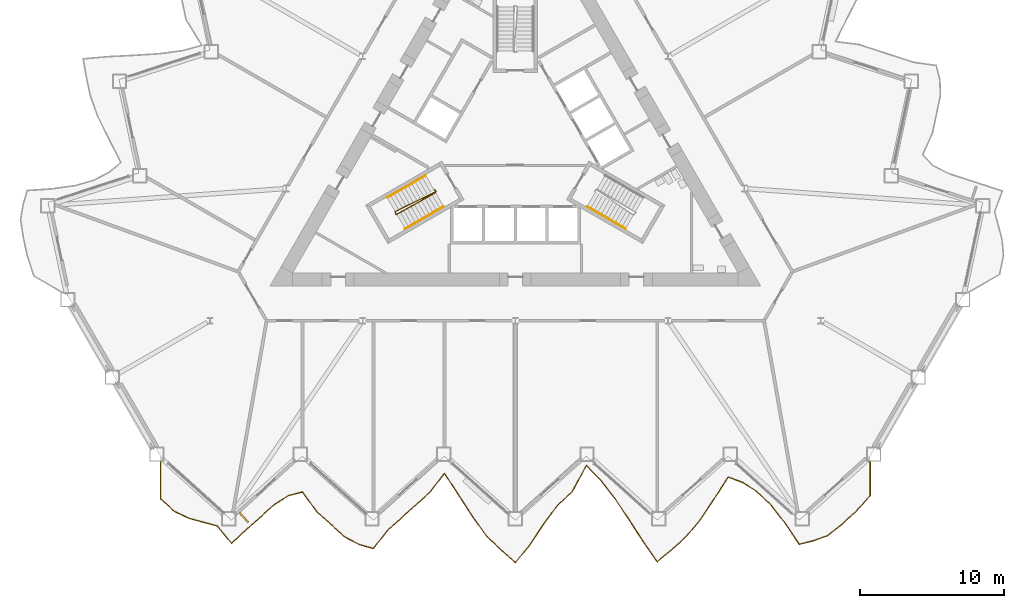
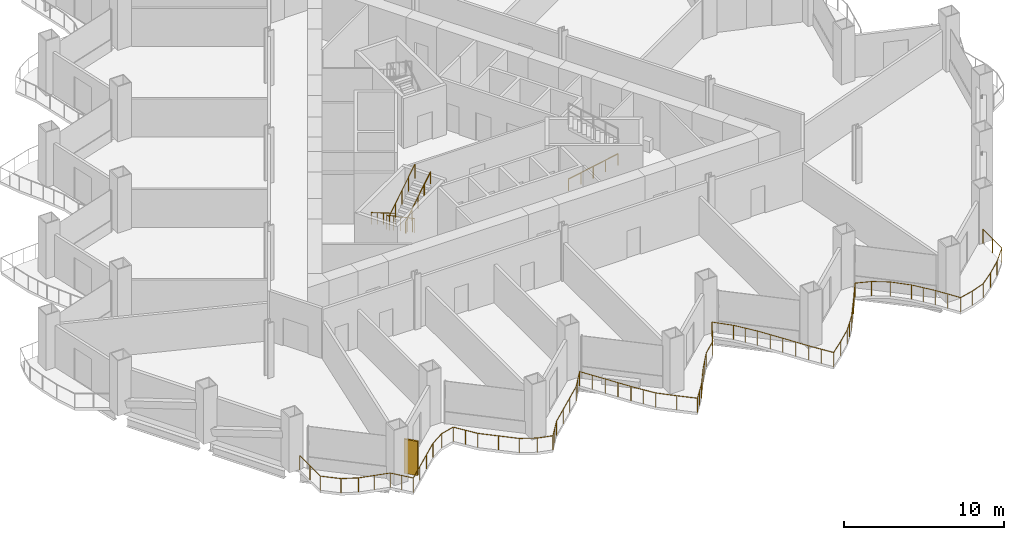
# One storey, part 17 of 21: 5 railings, 1 shading device.
"""IFC4 building model written with IfcOpenShell, lengths in metres."""

from ifc_helpers import new_model, si_unit, direction, frame, origin, origin_2d, place, context, subcontext, project, spatial, rectangle, circle, extrude, material, layer, layer_set, type_object, element, save


model = new_model("IFC4")

# Units and contexts
model_context = context("Model", 3, precision=1e-05, world=origin(), true_north=direction((0.0, 1.0)))
body_context = subcontext(model_context, "Body", "Model", "MODEL_VIEW")
ifc_project = project(units=[si_unit("LENGTHUNIT", "METRE"), si_unit("AREAUNIT", "SQUARE_METRE"), si_unit("VOLUMEUNIT", "CUBIC_METRE"), si_unit("PLANEANGLEUNIT", "RADIAN"), si_unit("MASSUNIT", "GRAM", prefix="KILO")], contexts=[model_context])

# Site, building, storey
site_placement = place(None, origin())
site = spatial("IfcSite", under=ifc_project, at=site_placement, CompositionType="ELEMENT")
building_placement = place(site_placement, origin())
building = spatial("IfcBuilding", under=site, at=building_placement, Name="Cormorant Prow Tower", CompositionType="ELEMENT")
storey_placement = place(building_placement, frame((0.0, 0.0, 67.800048828125)))
storey = spatial("IfcBuildingStorey", under=building, at=storey_placement, Name="L14", CompositionType="ELEMENT", Elevation=67.800048828125)

# Railings
ifc_material_1 = material(Name="Aluminium 6063-T6", Category="aluminium")
railing_type_1 = type_object("IfcRailingType", Name="Balcony guard 1100", PredefinedType="GUARDRAIL", material=ifc_material_1)
railing_1_placement = place(storey_placement, frame((-24.585205078125, -21.9814453125, 0.0)))
element("IfcRailing", 1, at=railing_1_placement, inside=storey, type_object=railing_type_1, Name="Balcony guard S", PredefinedType="GUARDRAIL", context=body_context, shape_type="SweptSolid", body=[
    extrude(circle(Radius=0.02392578125, at=origin_2d()), frame((0.0, 0.0, 1.076171875), z_axis=(0.0, -1.0, 0.0), x_axis=(1.0, 0.0, 0.0)), (0.0, 0.0, 1.0), 2.570068359375),
    extrude(circle(Radius=0.02392578125, at=origin_2d()), frame((0.0, -2.570068359375, 1.076171875), z_axis=(0.743128999228, -0.669148182771, 0.0), x_axis=(0.669148182771, 0.743128999228, 0.0)), (0.0, 0.0, 1.0), 1.3232421875),
    extrude(circle(Radius=0.02392578125, at=origin_2d()), frame((0.9833984375, -3.45556640625, 1.076171875), z_axis=(0.902607699627, -0.430464099053, 0.0), x_axis=(0.430464099053, 0.902607699627, 0.0)), (0.0, 0.0, 1.0), 1.089599609375),
    extrude(circle(Radius=0.02392578125, at=origin_2d()), frame((1.966796875, -3.924560546875, 1.076171875), z_axis=(0.965160842903, -0.26165730895, 0.0), x_axis=(0.26165730895, 0.965160842903, 0.0)), (0.0, 0.0, 1.0), 1.018798828125),
    extrude(circle(Radius=0.02392578125, at=origin_2d()), frame((2.9501953125, -4.191162109375, 1.076171875), z_axis=(0.966063556396, -0.258304481191, 0.0), x_axis=(0.258304481191, 0.966063556396, 0.0)), (0.0, 0.0, 1.0), 1.017822265625),
    extrude(circle(Radius=0.02392578125, at=origin_2d()), frame((3.93359375, -4.4541015625, 1.076171875), z_axis=(0.635950718371, -0.771729670159, 0.0), x_axis=(0.771729670159, 0.635950718371, 0.0)), (0.0, 0.0, 1.0), 1.54638671875),
    extrude(circle(Radius=0.02392578125, at=origin_2d()), frame((4.9169921875, -5.6474609375, 1.076171875), z_axis=(0.743128999228, 0.669148182771, 0.0), x_axis=(-0.669148182771, 0.743128999228, 0.0)), (0.0, 0.0, 1.0), 1.3232421875),
    extrude(circle(Radius=0.02392578125, at=origin_2d()), frame((5.900390625, -4.761962890625, 1.076171875), z_axis=(0.743128999228, 0.669148182771, 0.0), x_axis=(-0.669148182771, 0.743128999228, 0.0)), (0.0, 0.0, 1.0), 1.3232421875),
    extrude(circle(Radius=0.02392578125, at=origin_2d()), frame((6.8837890625, -3.87646484375, 1.076171875), z_axis=(0.743128999228, 0.669148182771, 0.0), x_axis=(-0.669148182771, 0.743128999228, 0.0)), (0.0, 0.0, 1.0), 1.3232421875),
    extrude(circle(Radius=0.02392578125, at=origin_2d()), frame((7.8671875, -2.990966796875, 1.076171875), z_axis=(0.842073916432, 0.539362141111, 0.0), x_axis=(-0.539362141111, 0.842073916432, 0.0)), (0.0, 0.0, 1.0), 1.167724609375),
    extrude(circle(Radius=0.02392578125, at=origin_2d()), frame((8.8505859375, -2.361083984375, 1.076171875), z_axis=(0.967015425791, 0.254717816972, 0.0), x_axis=(-0.254717816972, 0.967015425791, 0.0)), (0.0, 0.0, 1.0), 1.016845703125),
    extrude(circle(Radius=0.02392578125, at=origin_2d()), frame((9.833984375, -2.10205078125, 1.076171875), z_axis=(0.587885354936, -0.808944256084, 0.0), x_axis=(0.808944256084, 0.587885354936, 0.0)), (0.0, 0.0, 1.0), 1.673095703125),
    extrude(circle(Radius=0.02392578125, at=origin_2d()), frame((10.817626953125, -3.45556640625, 1.076171875), z_axis=(0.743128999228, -0.669148182771, 0.0), x_axis=(0.669148182771, 0.743128999228, 0.0)), (0.0, 0.0, 1.0), 1.3232421875),
    extrude(circle(Radius=0.02392578125, at=origin_2d()), frame((11.801025390625, -4.341064453125, 1.076171875), z_axis=(0.743128999228, -0.669148182771, 0.0), x_axis=(0.669148182771, 0.743128999228, 0.0)), (0.0, 0.0, 1.0), 1.3232421875),
    extrude(circle(Radius=0.02392578125, at=origin_2d()), frame((12.784423828125, -5.2265625, 1.076171875), z_axis=(0.884374682445, -0.466777699821, 0.0), x_axis=(0.466777699821, 0.884374682445, 0.0)), (0.0, 0.0, 1.0), 1.112060546875),
    extrude(circle(Radius=0.02392578125, at=origin_2d()), frame((13.767822265625, -5.74560546875, 1.076171875), z_axis=(0.96289198675, -0.269887053883, 0.0), x_axis=(0.269887053883, 0.96289198675, 0.0)), (0.0, 0.0, 1.0), 1.021240234375),
    extrude(circle(Radius=0.02392578125, at=origin_2d()), frame((14.751220703125, -6.021240234375, 1.076171875), z_axis=(0.615483907515, 0.788149452572, 0.0), x_axis=(-0.788149452572, 0.615483907515, 0.0)), (0.0, 0.0, 1.0), 1.59765625),
    extrude(circle(Radius=0.02392578125, at=origin_2d()), frame((15.734619140625, -4.761962890625, 1.076171875), z_axis=(0.743128999228, 0.669148182771, 0.0), x_axis=(-0.669148182771, 0.743128999228, 0.0)), (0.0, 0.0, 1.0), 1.3232421875),
    extrude(circle(Radius=0.02392578125, at=origin_2d()), frame((16.718017578125, -3.87646484375, 1.076171875), z_axis=(0.743128999228, 0.669148182771, 0.0), x_axis=(-0.669148182771, 0.743128999228, 0.0)), (0.0, 0.0, 1.0), 1.3232421875),
    extrude(circle(Radius=0.02392578125, at=origin_2d()), frame((17.701416015625, -2.990966796875, 1.076171875), z_axis=(0.743128999228, 0.669148182771, 0.0), x_axis=(-0.669148182771, 0.743128999228, 0.0)), (0.0, 0.0, 1.0), 1.3232421875),
    extrude(circle(Radius=0.02392578125, at=origin_2d()), frame((18.684814453125, -2.10546875, 1.076171875), z_axis=(0.60515564099, 0.796107185106, 0.0), x_axis=(-0.796107185106, 0.60515564099, 0.0)), (0.0, 0.0, 1.0), 1.625),
    extrude(circle(Radius=0.02392578125, at=origin_2d()), frame((19.668212890625, -0.811767578125, 1.076171875), z_axis=(0.550718393895, -0.834691110906, 0.0), x_axis=(0.834691110906, 0.550718393895, 0.0)), (0.0, 0.0, 1.0), 1.78564453125),
    extrude(circle(Radius=0.02392578125, at=origin_2d()), frame((20.651611328125, -2.30224609375, 1.076171875), z_axis=(0.543749337364, -0.839247673882, 0.0), x_axis=(0.839247673882, 0.543749337364, 0.0)), (0.0, 0.0, 1.0), 1.80859375),
    extrude(circle(Radius=0.02392578125, at=origin_2d()), frame((21.635009765625, -3.820068359375, 1.076171875), z_axis=(0.580910732478, -0.813967272618, 0.0), x_axis=(0.813967272618, 0.580910732478, 0.0)), (0.0, 0.0, 1.0), 1.69287109375),
    extrude(circle(Radius=0.02392578125, at=origin_2d()), frame((22.618408203125, -5.197998046875, 1.076171875), z_axis=(0.73254730476, -0.680716127537, 0.0), x_axis=(0.680716127537, 0.73254730476, 0.0)), (0.0, 0.0, 1.0), 1.342529296875),
    extrude(circle(Radius=0.02392578125, at=origin_2d()), frame((23.601806640625, -6.11181640625, 1.076171875), z_axis=(0.743128999228, -0.669148182771, 0.0), x_axis=(0.669148182771, 0.743128999228, 0.0)), (0.0, 0.0, 1.0), 1.3232421875),
    extrude(circle(Radius=0.02392578125, at=origin_2d()), frame((24.585205078125, -6.997314453125, 1.076171875), z_axis=(0.632861260373, 0.774265216266, 0.0), x_axis=(-0.774265216266, 0.632861260373, 0.0)), (0.0, 0.0, 1.0), 1.553955078125),
    extrude(circle(Radius=0.02392578125, at=origin_2d()), frame((25.568603515625, -5.794189453125, 1.076171875), z_axis=(0.552103781572, 0.833775398039, 0.0), x_axis=(-0.833775398039, 0.552103781572, 0.0)), (0.0, 0.0, 1.0), 1.78125),
    extrude(circle(Radius=0.02392578125, at=origin_2d()), frame((26.552001953125, -4.30908203125, 1.076171875), z_axis=(0.597979093265, 0.80151169924, 0.0), x_axis=(-0.80151169924, 0.597979093265, 0.0)), (0.0, 0.0, 1.0), 1.64453125),
    extrude(circle(Radius=0.02392578125, at=origin_2d()), frame((27.535400390625, -2.990966796875, 1.076171875), z_axis=(0.743128999228, 0.669148182771, 0.0), x_axis=(-0.669148182771, 0.743128999228, 0.0)), (0.0, 0.0, 1.0), 1.3232421875),
    extrude(circle(Radius=0.02392578125, at=origin_2d()), frame((28.518798828125, -2.10546875, 1.076171875), z_axis=(0.47402964322, 0.880508885445, 0.0), x_axis=(-0.880508885445, 0.47402964322, 0.0)), (0.0, 0.0, 1.0), 2.074462890625),
    extrude(circle(Radius=0.02392578125, at=origin_2d()), frame((29.502197265625, -0.27880859375, 1.076171875), z_axis=(0.709744883573, -0.704458799535, 0.0), x_axis=(0.704458799535, 0.709744883573, 0.0)), (0.0, 0.0, 1.0), 1.385498046875),
    extrude(circle(Radius=0.02392578125, at=origin_2d()), frame((30.485595703125, -1.2548828125, 1.076171875), z_axis=(0.609228227632, -0.792994934824, 0.0), x_axis=(0.792994934824, 0.609228227632, 0.0)), (0.0, 0.0, 1.0), 1.6142578125),
    extrude(circle(Radius=0.02392578125, at=origin_2d()), frame((31.468994140625, -2.534912109375, 1.076171875), z_axis=(0.553557968643, -0.832810647958, 0.0), x_axis=(0.832810647958, 0.553557968643, 0.0)), (0.0, 0.0, 1.0), 1.776611328125),
    extrude(circle(Radius=0.02392578125, at=origin_2d()), frame((32.452392578125, -4.014404296875, 1.076171875), z_axis=(0.54258087896, -0.840003565342, 0.0), x_axis=(0.840003565342, 0.54258087896, 0.0)), (0.0, 0.0, 1.0), 1.8125),
    extrude(circle(Radius=0.02392578125, at=origin_2d()), frame((33.435791015625, -5.536865234375, 1.076171875), z_axis=(0.575627914174, -0.817711748983, 0.0), x_axis=(0.817711748983, 0.575627914174, 0.0)), (0.0, 0.0, 1.0), 1.70849609375),
    extrude(circle(Radius=0.02392578125, at=origin_2d()), frame((34.419189453125, -6.933837890625, 1.076171875), z_axis=(0.767252389579, 0.641345281954, 0.0), x_axis=(-0.641345281954, 0.767252389579, 0.0)), (0.0, 0.0, 1.0), 1.28173828125),
    extrude(circle(Radius=0.02392578125, at=origin_2d()), frame((35.402587890625, -6.11181640625, 1.076171875), z_axis=(0.743220744102, 0.669046280564, 0.0), x_axis=(-0.669046280564, 0.743220744102, 0.0)), (0.0, 0.0, 1.0), 1.3232421875),
    extrude(circle(Radius=0.02392578125, at=origin_2d()), frame((36.385986328125, -5.2265625, 1.076171875), z_axis=(0.647872497364, 0.761748795312, 0.0), x_axis=(-0.761748795312, 0.647872497364, 0.0)), (0.0, 0.0, 1.0), 1.517822265625),
    extrude(circle(Radius=0.02392578125, at=origin_2d()), frame((37.369384765625, -4.0703125, 1.076171875), z_axis=(0.555081753939, 0.831795796121, 0.0), x_axis=(-0.831795796121, 0.555081753939, 0.0)), (0.0, 0.0, 1.0), 1.771728515625),
    extrude(circle(Radius=0.02392578125, at=origin_2d()), frame((38.352783203125, -2.5966796875, 1.076171875), z_axis=(0.542307742913, 0.840179928335, 0.0), x_axis=(-0.840179928335, 0.542307742913, 0.0)), (0.0, 0.0, 1.0), 1.813720703125),
    extrude(circle(Radius=0.02392578125, at=origin_2d()), frame((39.33642578125, -1.07275390625, 1.076171875), z_axis=(0.937585804914, -0.347754019996, 0.0), x_axis=(0.347754019996, 0.937585804914, 0.0)), (0.0, 0.0, 1.0), 1.048828125),
    extrude(circle(Radius=0.02392578125, at=origin_2d()), frame((40.31982421875, -1.4375, 1.076171875), z_axis=(0.845678428324, -0.533692791658, 0.0), x_axis=(0.533692791658, 0.845678428324, 0.0)), (0.0, 0.0, 1.0), 1.162841796875),
    extrude(circle(Radius=0.02392578125, at=origin_2d()), frame((41.30322265625, -2.05810546875, 1.076171875), z_axis=(0.720661143333, -0.693287470311, 0.0), x_axis=(0.693287470311, 0.720661143333, 0.0)), (0.0, 0.0, 1.0), 1.364501953125),
    extrude(circle(Radius=0.02392578125, at=origin_2d()), frame((42.28662109375, -3.004150390625, 1.076171875), z_axis=(0.616671463019, -0.787220621362, 0.0), x_axis=(0.787220621362, 0.616671463019, 0.0)), (0.0, 0.0, 1.0), 1.5947265625),
    extrude(circle(Radius=0.02392578125, at=origin_2d()), frame((43.27001953125, -4.259521484375, 1.076171875), z_axis=(0.556675975576, -0.830729714297, 0.0), x_axis=(0.830729714297, 0.556675975576, 0.0)), (0.0, 0.0, 1.0), 1.7666015625),
    extrude(circle(Radius=0.02392578125, at=origin_2d()), frame((44.25341796875, -5.72705078125, 1.076171875), z_axis=(0.97019914748, 0.242308923129, 0.0), x_axis=(-0.242308923129, 0.97019914748, 0.0)), (0.0, 0.0, 1.0), 1.013671875),
    extrude(circle(Radius=0.02392578125, at=origin_2d()), frame((45.23681640625, -5.4814453125, 1.076171875), z_axis=(0.940296766923, 0.340355681771, 0.0), x_axis=(-0.340355681771, 0.940296766923, 0.0)), (0.0, 0.0, 1.0), 1.0458984375),
    extrude(circle(Radius=0.02392578125, at=origin_2d()), frame((46.22021484375, -5.12548828125, 1.076171875), z_axis=(0.781757949104, 0.623581998628, 0.0), x_axis=(-0.623581998628, 0.781757949104, 0.0)), (0.0, 0.0, 1.0), 1.2578125),
    extrude(circle(Radius=0.02392578125, at=origin_2d()), frame((47.20361328125, -4.341064453125, 1.076171875), z_axis=(0.743128999228, 0.669148182771, 0.0), x_axis=(-0.669148182771, 0.743128999228, 0.0)), (0.0, 0.0, 1.0), 1.3232421875),
    extrude(circle(Radius=0.02392578125, at=origin_2d()), frame((48.18701171875, -3.45556640625, 1.076171875), z_axis=(0.662850790638, 0.748751513755, 0.0), x_axis=(-0.748751513755, 0.662850790638, 0.0)), (0.0, 0.0, 1.0), 1.483642578125),
    extrude(circle(Radius=0.02392578125, at=origin_2d()), frame((49.17041015625, -2.3447265625, 1.076171875), z_axis=(0.0, 1.0, 0.0), x_axis=(-1.0, 0.0, 0.0)), (0.0, 0.0, 1.0), 2.3447265625),
    extrude(circle(Radius=0.02099609375, at=origin_2d()), origin(), (0.0, 0.0, 1.0), 1.052001953125),
    extrude(circle(Radius=0.02099609375, at=origin_2d()), frame((0.0, -1.28515625, 0.0)), (0.0, 0.0, 1.0), 1.052001953125),
    extrude(circle(Radius=0.02099609375, at=origin_2d()), frame((0.0, -2.570068359375, 0.0)), (0.0, 0.0, 1.0), 1.052001953125),
    extrude(circle(Radius=0.02099609375, at=origin_2d()), frame((0.9833984375, -3.45556640625, 0.0)), (0.0, 0.0, 1.0), 1.052001953125),
    extrude(circle(Radius=0.02099609375, at=origin_2d()), frame((1.966796875, -3.924560546875, 0.0)), (0.0, 0.0, 1.0), 1.052001953125),
    extrude(circle(Radius=0.02099609375, at=origin_2d()), frame((2.9501953125, -4.191162109375, 0.0)), (0.0, 0.0, 1.0), 1.052001953125),
    extrude(circle(Radius=0.02099609375, at=origin_2d()), frame((3.93359375, -4.4541015625, 0.0)), (0.0, 0.0, 1.0), 1.052001953125),
    extrude(circle(Radius=0.02099609375, at=origin_2d()), frame((4.42529296875, -5.05078125, 0.0)), (0.0, 0.0, 1.0), 1.052001953125),
    extrude(circle(Radius=0.02099609375, at=origin_2d()), frame((4.9169921875, -5.6474609375, 0.0)), (0.0, 0.0, 1.0), 1.052001953125),
    extrude(circle(Radius=0.02099609375, at=origin_2d()), frame((5.900390625, -4.761962890625, 0.0)), (0.0, 0.0, 1.0), 1.052001953125),
    extrude(circle(Radius=0.02099609375, at=origin_2d()), frame((6.8837890625, -3.87646484375, 0.0)), (0.0, 0.0, 1.0), 1.052001953125),
    extrude(circle(Radius=0.02099609375, at=origin_2d()), frame((7.8671875, -2.990966796875, 0.0)), (0.0, 0.0, 1.0), 1.052001953125),
    extrude(circle(Radius=0.02099609375, at=origin_2d()), frame((8.8505859375, -2.361083984375, 0.0)), (0.0, 0.0, 1.0), 1.052001953125),
    extrude(circle(Radius=0.02099609375, at=origin_2d()), frame((9.833984375, -2.10205078125, 0.0)), (0.0, 0.0, 1.0), 1.052001953125),
    extrude(circle(Radius=0.02099609375, at=origin_2d()), frame((10.32568359375, -2.77880859375, 0.0)), (0.0, 0.0, 1.0), 1.052001953125),
    extrude(circle(Radius=0.02099609375, at=origin_2d()), frame((10.817626953125, -3.45556640625, 0.0)), (0.0, 0.0, 1.0), 1.052001953125),
    extrude(circle(Radius=0.02099609375, at=origin_2d()), frame((11.801025390625, -4.341064453125, 0.0)), (0.0, 0.0, 1.0), 1.052001953125),
    extrude(circle(Radius=0.02099609375, at=origin_2d()), frame((12.784423828125, -5.2265625, 0.0)), (0.0, 0.0, 1.0), 1.052001953125),
    extrude(circle(Radius=0.02099609375, at=origin_2d()), frame((13.767822265625, -5.74560546875, 0.0)), (0.0, 0.0, 1.0), 1.052001953125),
    extrude(circle(Radius=0.02099609375, at=origin_2d()), frame((14.751220703125, -6.021240234375, 0.0)), (0.0, 0.0, 1.0), 1.052001953125),
    extrude(circle(Radius=0.02099609375, at=origin_2d()), frame((15.242919921875, -5.3916015625, 0.0)), (0.0, 0.0, 1.0), 1.052001953125),
    extrude(circle(Radius=0.02099609375, at=origin_2d()), frame((15.734619140625, -4.761962890625, 0.0)), (0.0, 0.0, 1.0), 1.052001953125),
    extrude(circle(Radius=0.02099609375, at=origin_2d()), frame((16.718017578125, -3.87646484375, 0.0)), (0.0, 0.0, 1.0), 1.052001953125),
    extrude(circle(Radius=0.02099609375, at=origin_2d()), frame((17.701416015625, -2.990966796875, 0.0)), (0.0, 0.0, 1.0), 1.052001953125),
    extrude(circle(Radius=0.02099609375, at=origin_2d()), frame((18.684814453125, -2.10546875, 0.0)), (0.0, 0.0, 1.0), 1.052001953125),
    extrude(circle(Radius=0.02099609375, at=origin_2d()), frame((19.176513671875, -1.45849609375, 0.0)), (0.0, 0.0, 1.0), 1.052001953125),
    extrude(circle(Radius=0.02099609375, at=origin_2d()), frame((19.668212890625, -0.811767578125, 0.0)), (0.0, 0.0, 1.0), 1.052001953125),
    extrude(circle(Radius=0.02099609375, at=origin_2d()), frame((20.159912109375, -1.55712890625, 0.0)), (0.0, 0.0, 1.0), 1.052001953125),
    extrude(circle(Radius=0.02099609375, at=origin_2d()), frame((20.651611328125, -2.30224609375, 0.0)), (0.0, 0.0, 1.0), 1.052001953125),
    extrude(circle(Radius=0.02099609375, at=origin_2d()), frame((21.143310546875, -3.06103515625, 0.0)), (0.0, 0.0, 1.0), 1.052001953125),
    extrude(circle(Radius=0.02099609375, at=origin_2d()), frame((21.635009765625, -3.820068359375, 0.0)), (0.0, 0.0, 1.0), 1.052001953125),
    extrude(circle(Radius=0.02099609375, at=origin_2d()), frame((22.126708984375, -4.509033203125, 0.0)), (0.0, 0.0, 1.0), 1.052001953125),
    extrude(circle(Radius=0.02099609375, at=origin_2d()), frame((22.618408203125, -5.197998046875, 0.0)), (0.0, 0.0, 1.0), 1.052001953125),
    extrude(circle(Radius=0.02099609375, at=origin_2d()), frame((23.601806640625, -6.11181640625, 0.0)), (0.0, 0.0, 1.0), 1.052001953125),
    extrude(circle(Radius=0.02099609375, at=origin_2d()), frame((24.585205078125, -6.997314453125, 0.0)), (0.0, 0.0, 1.0), 1.052001953125),
    extrude(circle(Radius=0.02099609375, at=origin_2d()), frame((25.076904296875, -6.395751953125, 0.0)), (0.0, 0.0, 1.0), 1.052001953125),
    extrude(circle(Radius=0.02099609375, at=origin_2d()), frame((25.568603515625, -5.794189453125, 0.0)), (0.0, 0.0, 1.0), 1.052001953125),
    extrude(circle(Radius=0.02099609375, at=origin_2d()), frame((26.060302734375, -5.0517578125, 0.0)), (0.0, 0.0, 1.0), 1.052001953125),
    extrude(circle(Radius=0.02099609375, at=origin_2d()), frame((26.552001953125, -4.30908203125, 0.0)), (0.0, 0.0, 1.0), 1.052001953125),
    extrude(circle(Radius=0.02099609375, at=origin_2d()), frame((27.043701171875, -3.64990234375, 0.0)), (0.0, 0.0, 1.0), 1.052001953125),
    extrude(circle(Radius=0.02099609375, at=origin_2d()), frame((27.535400390625, -2.990966796875, 0.0)), (0.0, 0.0, 1.0), 1.052001953125),
    extrude(circle(Radius=0.02099609375, at=origin_2d()), frame((28.518798828125, -2.10546875, 0.0)), (0.0, 0.0, 1.0), 1.052001953125),
    extrude(circle(Radius=0.02099609375, at=origin_2d()), frame((29.010498046875, -1.192138671875, 0.0)), (0.0, 0.0, 1.0), 1.052001953125),
    extrude(circle(Radius=0.02099609375, at=origin_2d()), frame((29.502197265625, -0.27880859375, 0.0)), (0.0, 0.0, 1.0), 1.052001953125),
    extrude(circle(Radius=0.02099609375, at=origin_2d()), frame((30.485595703125, -1.2548828125, 0.0)), (0.0, 0.0, 1.0), 1.052001953125),
    extrude(circle(Radius=0.02099609375, at=origin_2d()), frame((30.977294921875, -1.89501953125, 0.0)), (0.0, 0.0, 1.0), 1.052001953125),
    extrude(circle(Radius=0.02099609375, at=origin_2d()), frame((31.468994140625, -2.534912109375, 0.0)), (0.0, 0.0, 1.0), 1.052001953125),
    extrude(circle(Radius=0.02099609375, at=origin_2d()), frame((31.960693359375, -3.274658203125, 0.0)), (0.0, 0.0, 1.0), 1.052001953125),
    extrude(circle(Radius=0.02099609375, at=origin_2d()), frame((32.452392578125, -4.014404296875, 0.0)), (0.0, 0.0, 1.0), 1.052001953125),
    extrude(circle(Radius=0.02099609375, at=origin_2d()), frame((32.944091796875, -4.775634765625, 0.0)), (0.0, 0.0, 1.0), 1.052001953125),
    extrude(circle(Radius=0.02099609375, at=origin_2d()), frame((33.435791015625, -5.536865234375, 0.0)), (0.0, 0.0, 1.0), 1.052001953125),
    extrude(circle(Radius=0.02099609375, at=origin_2d()), frame((33.927490234375, -6.2353515625, 0.0)), (0.0, 0.0, 1.0), 1.052001953125),
    extrude(circle(Radius=0.02099609375, at=origin_2d()), frame((34.419189453125, -6.933837890625, 0.0)), (0.0, 0.0, 1.0), 1.052001953125),
    extrude(circle(Radius=0.02099609375, at=origin_2d()), frame((35.402587890625, -6.11181640625, 0.0)), (0.0, 0.0, 1.0), 1.052001953125),
    extrude(circle(Radius=0.02099609375, at=origin_2d()), frame((36.385986328125, -5.2265625, 0.0)), (0.0, 0.0, 1.0), 1.052001953125),
    extrude(circle(Radius=0.02099609375, at=origin_2d()), frame((36.877685546875, -4.6484375, 0.0)), (0.0, 0.0, 1.0), 1.052001953125),
    extrude(circle(Radius=0.02099609375, at=origin_2d()), frame((37.369384765625, -4.0703125, 0.0)), (0.0, 0.0, 1.0), 1.052001953125),
    extrude(circle(Radius=0.02099609375, at=origin_2d()), frame((37.861083984375, -3.33349609375, 0.0)), (0.0, 0.0, 1.0), 1.052001953125),
    extrude(circle(Radius=0.02099609375, at=origin_2d()), frame((38.352783203125, -2.5966796875, 0.0)), (0.0, 0.0, 1.0), 1.052001953125),
    extrude(circle(Radius=0.02099609375, at=origin_2d()), frame((38.8447265625, -1.834716796875, 0.0)), (0.0, 0.0, 1.0), 1.052001953125),
    extrude(circle(Radius=0.02099609375, at=origin_2d()), frame((39.33642578125, -1.07275390625, 0.0)), (0.0, 0.0, 1.0), 1.052001953125),
    extrude(circle(Radius=0.02099609375, at=origin_2d()), frame((40.31982421875, -1.4375, 0.0)), (0.0, 0.0, 1.0), 1.052001953125),
    extrude(circle(Radius=0.02099609375, at=origin_2d()), frame((41.30322265625, -2.05810546875, 0.0)), (0.0, 0.0, 1.0), 1.052001953125),
    extrude(circle(Radius=0.02099609375, at=origin_2d()), frame((42.28662109375, -3.004150390625, 0.0)), (0.0, 0.0, 1.0), 1.052001953125),
    extrude(circle(Radius=0.02099609375, at=origin_2d()), frame((42.7783203125, -3.6318359375, 0.0)), (0.0, 0.0, 1.0), 1.052001953125),
    extrude(circle(Radius=0.02099609375, at=origin_2d()), frame((43.27001953125, -4.259521484375, 0.0)), (0.0, 0.0, 1.0), 1.052001953125),
    extrude(circle(Radius=0.02099609375, at=origin_2d()), frame((43.76171875, -4.9931640625, 0.0)), (0.0, 0.0, 1.0), 1.052001953125),
    extrude(circle(Radius=0.02099609375, at=origin_2d()), frame((44.25341796875, -5.72705078125, 0.0)), (0.0, 0.0, 1.0), 1.052001953125),
    extrude(circle(Radius=0.02099609375, at=origin_2d()), frame((45.23681640625, -5.4814453125, 0.0)), (0.0, 0.0, 1.0), 1.052001953125),
    extrude(circle(Radius=0.02099609375, at=origin_2d()), frame((46.22021484375, -5.12548828125, 0.0)), (0.0, 0.0, 1.0), 1.052001953125),
    extrude(circle(Radius=0.02099609375, at=origin_2d()), frame((47.20361328125, -4.341064453125, 0.0)), (0.0, 0.0, 1.0), 1.052001953125),
    extrude(circle(Radius=0.02099609375, at=origin_2d()), frame((48.18701171875, -3.45556640625, 0.0)), (0.0, 0.0, 1.0), 1.052001953125),
    extrude(circle(Radius=0.02099609375, at=origin_2d()), frame((49.17041015625, -2.3447265625, 0.0)), (0.0, 0.0, 1.0), 1.052001953125),
    extrude(circle(Radius=0.02099609375, at=origin_2d()), frame((49.17041015625, -1.17236328125, 0.0)), (0.0, 0.0, 1.0), 1.052001953125),
    extrude(circle(Radius=0.02099609375, at=origin_2d()), frame((49.17041015625, 0.0, 0.0)), (0.0, 0.0, 1.0), 1.052001953125),
])
ifc_material_2 = material(Name="Stainless steel", Category="steel")
railing_type_2 = type_object("IfcRailingType", Name="Stair guard 1100", PredefinedType="GUARDRAIL", material=ifc_material_2)
railing_2_placement = place(storey_placement, frame((-5.585205078125, -3.137939453125, 0.0)))
element("IfcRailing", 2, at=railing_2_placement, inside=storey, type_object=railing_type_2, Name="L14 ST1 stair guard 1", PredefinedType="GUARDRAIL", context=body_context, shape_type="SweptSolid", body=[
    extrude(circle(Radius=0.02392578125, at=origin_2d()), frame((0.0, 0.0, 1.076171875), z_axis=(0.501036270542, -0.865426285481, 0.0), x_axis=(0.865426285481, 0.501036270542, 0.0)), (0.0, 0.0, 1.0), 0.150146484375),
    extrude(circle(Radius=0.02392578125, at=origin_2d()), frame((0.0751953125, -0.1298828125, 1.076171875), z_axis=(-0.744670798681, -0.368745611333, 0.556320119817), x_axis=(0.443754251299, -0.896148516963, 0.0)), (0.0, 0.0, 1.0), 3.774658203125),
    extrude(circle(Radius=0.02392578125, at=origin_2d()), frame((-2.735595703125, -1.521728515625, 3.17578125), z_axis=(0.274721127897, -0.961523947641, 0.0), x_axis=(0.961523947641, 0.274721127897, 0.0)), (0.0, 0.0, 1.0), 0.2060546875),
    extrude(circle(Radius=0.02392578125, at=origin_2d()), frame((-2.678955078125, -1.719970703125, 3.17578125), z_axis=(0.725738344322, 0.403670096391, 0.557094524171), x_axis=(-0.486086505765, 0.873910698477, 0.0)), (0.0, 0.0, 1.0), 3.769775390625),
    extrude(circle(Radius=0.02099609375, at=origin_2d()), origin(), (0.0, 0.0, 1.0), 1.052001953125),
    extrude(circle(Radius=0.02099609375, at=origin_2d()), frame((0.0751953125, -0.1298828125, 0.0)), (0.0, 0.0, 1.0), 1.052001953125),
    extrude(circle(Radius=0.02099609375, at=origin_2d()), frame((-0.62744140625, -0.477783203125, 0.52490234375)), (0.0, 0.0, 1.0), 1.052001953125),
    extrude(circle(Radius=0.02099609375, at=origin_2d()), frame((-1.330078125, -0.82568359375, 1.0498046875)), (0.0, 0.0, 1.0), 1.052001953125),
    extrude(circle(Radius=0.02099609375, at=origin_2d()), frame((-2.032958984375, -1.173828125, 1.574951171875)), (0.0, 0.0, 1.0), 1.052001953125),
    extrude(circle(Radius=0.02099609375, at=origin_2d()), frame((-2.735595703125, -1.521728515625, 2.099853515625)), (0.0, 0.0, 1.0), 1.052001953125),
    extrude(circle(Radius=0.02099609375, at=origin_2d()), frame((-2.678955078125, -1.719970703125, 2.099853515625)), (0.0, 0.0, 1.0), 1.052001953125),
    extrude(circle(Radius=0.02099609375, at=origin_2d()), frame((-1.9951171875, -1.339599609375, 2.625)), (0.0, 0.0, 1.0), 1.052001953125),
    extrude(circle(Radius=0.02099609375, at=origin_2d()), frame((-1.31103515625, -0.958984375, 3.14990234375)), (0.0, 0.0, 1.0), 1.052001953125),
    extrude(circle(Radius=0.02099609375, at=origin_2d()), frame((-0.626953125, -0.57861328125, 3.6748046875)), (0.0, 0.0, 1.0), 1.052001953125),
    extrude(circle(Radius=0.02099609375, at=origin_2d()), frame((0.056884765625, -0.1982421875, 4.199951171875)), (0.0, 0.0, 1.0), 1.052001953125),
])
ifc_material_3 = material(Name="Stainless steel", Category="steel")
railing_type_3 = type_object("IfcRailingType", Name="Stair handrail 900", PredefinedType="HANDRAIL", material=ifc_material_3)
railing_3_placement = place(storey_placement, frame((-6.212890625, -2.150634765625, 0.175048828125)))
element("IfcRailing", 3, at=railing_3_placement, inside=storey, type_object=railing_type_3, Name="L14 ST1 stair handrail 1", PredefinedType="HANDRAIL", context=body_context, shape_type="SweptSolid", body=[
    extrude(circle(Radius=0.02392578125, at=origin_2d()), frame((0.0, 0.0, 0.8759765625), z_axis=(-0.734421155904, -0.424009578203, 0.529944755001), x_axis=(0.499992328818, -0.866029832698, 0.0)), (0.0, 0.0, 1.0), 3.632080078125),
    extrude(circle(Radius=0.02099609375, at=origin_2d()), origin(), (0.0, 0.0, 1.0), 0.851806640625),
    extrude(circle(Radius=0.02099609375, at=origin_2d()), frame((-0.6669921875, -0.385009765625, 0.481201171875)), (0.0, 0.0, 1.0), 0.851806640625),
    extrude(circle(Radius=0.02099609375, at=origin_2d()), frame((-1.333740234375, -0.77001953125, 0.96240234375)), (0.0, 0.0, 1.0), 0.851806640625),
    extrude(circle(Radius=0.02099609375, at=origin_2d()), frame((-2.00048828125, -1.155029296875, 1.443603515625)), (0.0, 0.0, 1.0), 0.851806640625),
    extrude(circle(Radius=0.02099609375, at=origin_2d()), frame((-2.66748046875, -1.5400390625, 1.9248046875)), (0.0, 0.0, 1.0), 0.851806640625),
])
railing_4_placement = place(storey_placement, frame((-7.63623046875, -5.84521484375, 2.27490234375)))
element("IfcRailing", 4, at=railing_4_placement, inside=storey, type_object=railing_type_3, Name="L14 ST1 stair handrail 2", PredefinedType="HANDRAIL", context=body_context, shape_type="SweptSolid", body=[
    extrude(circle(Radius=0.02392578125, at=origin_2d()), frame((0.0, 0.0, 0.8759765625), z_axis=(0.734364028329, 0.424015404183, 0.530019255228), x_axis=(-0.500026652407, 0.866010015463, 0.0)), (0.0, 0.0, 1.0), 3.632080078125),
    extrude(circle(Radius=0.02099609375, at=origin_2d()), origin(), (0.0, 0.0, 1.0), 0.851806640625),
    extrude(circle(Radius=0.02099609375, at=origin_2d()), frame((0.666748046875, 0.385009765625, 0.481201171875)), (0.0, 0.0, 1.0), 0.851806640625),
    extrude(circle(Radius=0.02099609375, at=origin_2d()), frame((1.33349609375, 0.77001953125, 0.96240234375)), (0.0, 0.0, 1.0), 0.851806640625),
    extrude(circle(Radius=0.02099609375, at=origin_2d()), frame((2.00048828125, 1.155029296875, 1.44384765625)), (0.0, 0.0, 1.0), 0.851806640625),
    extrude(circle(Radius=0.02099609375, at=origin_2d()), frame((2.667236328125, 1.5400390625, 1.925048828125)), (0.0, 0.0, 1.0), 0.851806640625),
])
railing_5_placement = place(storey_placement, frame((4.968994140625, -4.30517578125, 0.175048828125)))
element("IfcRailing", 5, at=railing_5_placement, inside=storey, type_object=railing_type_3, Name="L14 ST2 stair handrail 1", PredefinedType="HANDRAIL", context=body_context, shape_type="SweptSolid", body=[
    extrude(circle(Radius=0.02392578125, at=origin_2d()), frame((0.0, 0.0, 0.8759765625), z_axis=(0.734390191396, -0.42403051051, 0.529970917068), x_axis=(0.500026652407, 0.866010015463, 0.0)), (0.0, 0.0, 1.0), 3.6318359375),
    extrude(circle(Radius=0.02099609375, at=origin_2d()), origin(), (0.0, 0.0, 1.0), 0.851806640625),
    extrude(circle(Radius=0.02099609375, at=origin_2d()), frame((0.666748046875, -0.385009765625, 0.481201171875)), (0.0, 0.0, 1.0), 0.851806640625),
    extrude(circle(Radius=0.02099609375, at=origin_2d()), frame((1.33349609375, -0.77001953125, 0.96240234375)), (0.0, 0.0, 1.0), 0.851806640625),
    extrude(circle(Radius=0.02099609375, at=origin_2d()), frame((2.00048828125, -1.155029296875, 1.443603515625)), (0.0, 0.0, 1.0), 0.851806640625),
    extrude(circle(Radius=0.02099609375, at=origin_2d()), frame((2.667236328125, -1.5400390625, 1.9248046875)), (0.0, 0.0, 1.0), 0.851806640625),
])

# Shading device
ifc_material_4 = material(Name="Terracotta", Category="masonry")
ifc_layer = layer(ifc_material_4, 0.1201171875)
ifc_layer_set = layer_set([ifc_layer], Name="Terracotta")
shading_device_type = type_object("IfcShadingDeviceType", Name="Terracotta baguette fin 120x900x2600", PredefinedType="USERDEFINED", material=ifc_layer_set)
shading_device_placement = place(storey_placement, frame((-18.800048828125, -25.8525390625, 0.0), z_axis=(0.0, 0.0, 1.0), x_axis=(0.743144817746, 0.669130614945, 0.0)))
element("IfcShadingDevice", 6, at=shading_device_placement, inside=storey, type_object=shading_device_type, Name="Baguette fin S01", ObjectType="BAGUETTE", PredefinedType="USERDEFINED", context=body_context, shape_type="SweptSolid", body=[
    extrude(rectangle(XDim=0.1201171875, YDim=0.89990234375, at=origin_2d()), origin(), (0.0, 0.0, 1.0), 2.60009765625),
])

save(model, "model.ifc")
